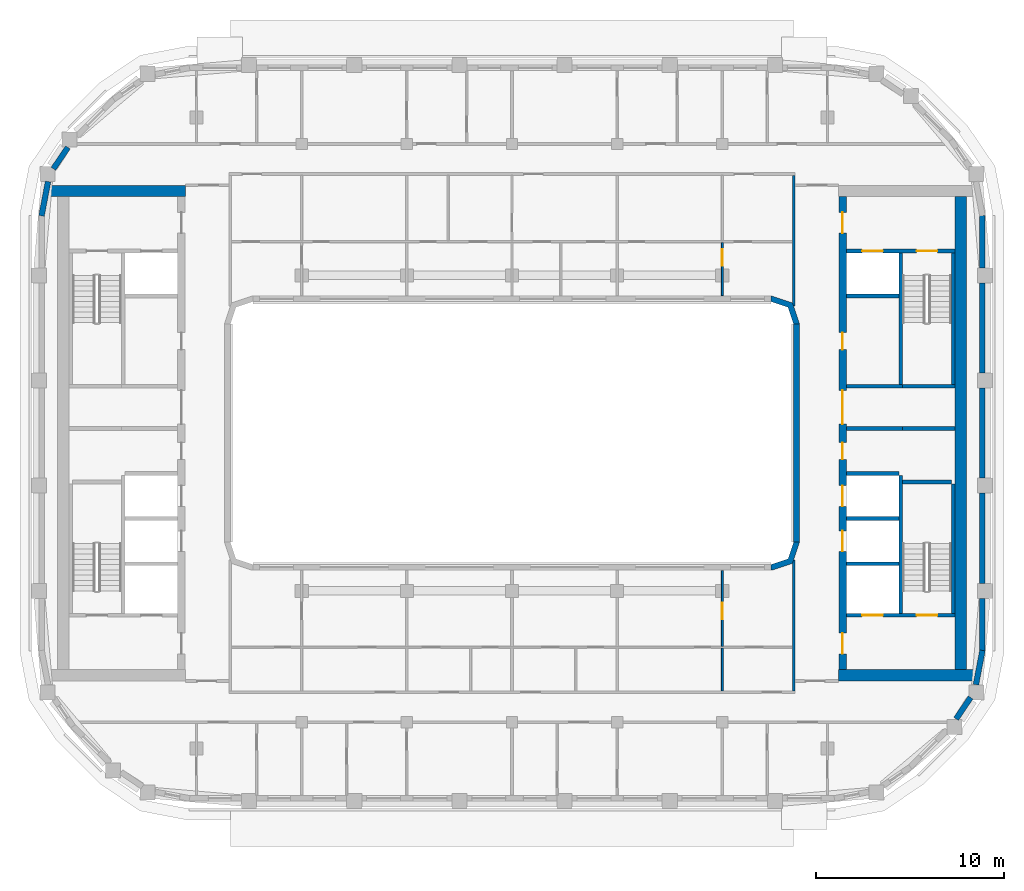
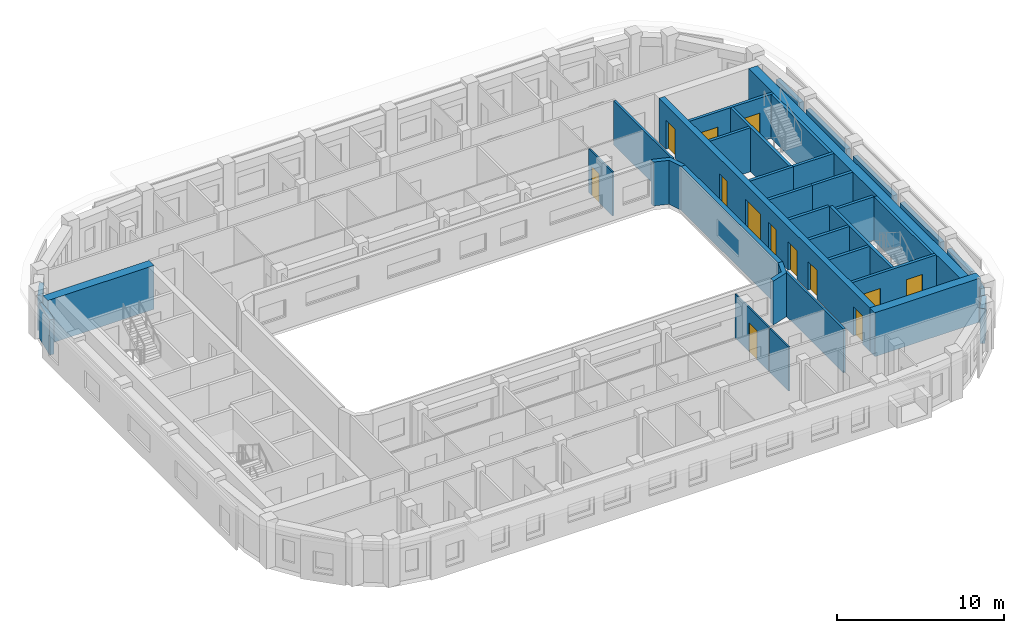
# One storey, part 6 of 16: 36 walls, 13 doors, 13 openings.
"""IFC4 building model written with IfcOpenShell, lengths in metres."""

from ifc_helpers import new_model, si_unit, direction, frame, frame_2d, origin, place, context, subcontext, project, spatial, polyline, rectangle, outline, extrude, material, layer, layer_set, type_object, element, fill, save


model = new_model("IFC4")

# Units and contexts
model_context = context("Model", 3, precision=1e-05, world=origin(), true_north=direction((0.0, 1.0)))
body_context = subcontext(model_context, "Body", "Model", "MODEL_VIEW")
ifc_project = project(units=[si_unit("LENGTHUNIT", "METRE"), si_unit("AREAUNIT", "SQUARE_METRE"), si_unit("VOLUMEUNIT", "CUBIC_METRE"), si_unit("PLANEANGLEUNIT", "RADIAN"), si_unit("MASSUNIT", "GRAM", prefix="KILO")], contexts=[model_context])

# Site, building, storey
site_placement = place(None, origin())
site = spatial("IfcSite", under=ifc_project, at=site_placement, CompositionType="ELEMENT")
building_placement = place(site_placement, origin())
building = spatial("IfcBuilding", under=site, at=building_placement, Name="Kiln Ring Residences", CompositionType="ELEMENT")
storey_placement = place(building_placement, frame((0.0, 0.0, 259.199951171875)))
storey = spatial("IfcBuildingStorey", under=building, at=storey_placement, Name="L67", CompositionType="ELEMENT", Elevation=259.199951171875)

# Walls
ifc_material_1 = material(Name="Gypsum board on steel studs", Category="steel")
ifc_layer_1 = layer(ifc_material_1, 0.199951171875)
ifc_layer_set_1 = layer_set([ifc_layer_1], Name="CORE-PARTITION-200")
wall_type_1 = type_object("IfcWallType", Name="CORE-PARTITION-200", PredefinedType="PARTITIONING", material=ifc_layer_set_1)
wall_1_placement = place(storey_placement, frame((20.800048828125, 0.25, 0.0), z_axis=(0.0, 0.0, 1.0), x_axis=(1.0, 0.0, 0.0)))
element("IfcWall", 1, at=wall_1_placement, inside=storey, type_object=wall_type_1, Name="Core partition east L67 1", PredefinedType="PARTITIONING", context=body_context, shape_type="SweptSolid", body=[
    extrude(rectangle(XDim=2.800048828125, YDim=0.199951171875, at=frame_2d((1.39990234375, 0.0))), origin(), (0.0, 0.0, 1.0), 3.199951171875),
])
ifc_material_2 = material(Name="Gypsum shaft wall system")
ifc_layer_2 = layer(ifc_material_2, 0.199951171875)
ifc_layer_set_2 = layer_set([ifc_layer_2], Name="CORE-SHAFT-WALL-200")
wall_type_2 = type_object("IfcWallType", Name="CORE-SHAFT-WALL-200", PredefinedType="PARTITIONING", material=ifc_layer_set_2)
for number, where, z_axis, x_axis, name in (
    (2, (17.800048828125, -6.949951171875, 0.0), (0.0, 0.0, 1.0), (1.0, 0.0, 0.0), "Core partition east L67 2"),
    (3, (17.800048828125, -4.550048828125, 0.0), (0.0, 0.0, 1.0), (1.0, 0.0, 0.0), "Core partition east L67 3"),
    (4, (17.800048828125, -2.14990234375, 0.0), (0.0, 0.0, 1.0), (1.0, 0.0, 0.0), "Core partition east L67 4"),
):
    element("IfcWall", number, at=place(storey_placement, frame(where, z_axis=z_axis, x_axis=x_axis)), inside=storey, type_object=wall_type_2, Name=name, PredefinedType="PARTITIONING", context=body_context, shape_type="SweptSolid", body=[
        extrude(rectangle(XDim=2.800048828125, YDim=0.199951171875, at=frame_2d((1.39990234375, 0.0))), origin(), (0.0, 0.0, 1.0), 3.199951171875),
    ])
for number, where, z_axis, x_axis, name in (
    (5, (17.800048828125, 0.25, 0.0), (0.0, 0.0, 1.0), (1.0, 0.0, 0.0), "Core partition east L67 5"),
    (6, (17.800048828125, 2.5, 0.0), (0.0, 0.0, 1.0), (1.0, 0.0, 0.0), "Core partition east L67 6"),
):
    element("IfcWall", number, at=place(storey_placement, frame(where, z_axis=z_axis, x_axis=x_axis)), inside=storey, type_object=wall_type_2, Name=name, PredefinedType="PARTITIONING", context=body_context, shape_type="SweptSolid", body=[
        extrude(rectangle(XDim=3.0, YDim=0.199951171875, at=frame_2d((1.5, 0.0))), origin(), (0.0, 0.0, 1.0), 3.199951171875),
    ])
wall_2_placement = place(storey_placement, frame((17.800048828125, 7.300048828125, 0.0), z_axis=(0.0, 0.0, 1.0), x_axis=(1.0, 0.0, 0.0)))
element("IfcWall", 7, at=wall_2_placement, inside=storey, type_object=wall_type_2, Name="Core partition east L67 7", PredefinedType="PARTITIONING", context=body_context, shape_type="SweptSolid", body=[
    extrude(rectangle(XDim=2.800048828125, YDim=0.199951171875, at=frame_2d((1.39990234375, 0.0))), origin(), (0.0, 0.0, 1.0), 3.199951171875),
])
ifc_material_3 = material(Name="Concrete C40/50", Category="concrete")
ifc_layer_3 = layer(ifc_material_3, 0.199951171875)
ifc_layer_set_3 = layer_set([ifc_layer_3], Name="CORE-WALL-RC200")
wall_type_3 = type_object("IfcWallType", Name="CORE-WALL-RC200", PredefinedType="SHEAR", material=ifc_layer_set_3)
wall_3_placement = place(storey_placement, frame((20.699951171875, 2.60009765625, 0.0), z_axis=(0.0, 0.0, 1.0), x_axis=(0.0, 1.0, 0.0)))
element("IfcWall", 8, at=wall_3_placement, inside=storey, type_object=wall_type_3, Name="Core wall east L67 1", PredefinedType="SHEAR", context=body_context, shape_type="SweptSolid", body=[
    extrude(rectangle(XDim=7.0, YDim=0.199951171875, at=frame_2d((3.5, 0.0))), origin(), (0.0, 0.0, 1.0), 3.199951171875),
])
wall_4_placement = place(storey_placement, frame((20.699951171875, -9.60009765625, 0.0), z_axis=(0.0, 0.0, 1.0), x_axis=(0.0, 1.0, 0.0)))
element("IfcWall", 9, at=wall_4_placement, inside=storey, type_object=wall_type_3, Name="Core wall east L67 2", PredefinedType="SHEAR", context=body_context, shape_type="SweptSolid", body=[
    extrude(rectangle(XDim=7.35009765625, YDim=0.199951171875, at=frame_2d((3.675048828125, 0.0))), origin(), (0.0, 0.0, 1.0), 3.199951171875),
])
wall_5_placement = place(storey_placement, frame((20.800048828125, 2.5, 0.0), z_axis=(0.0, 0.0, 1.0), x_axis=(1.0, 0.0, 0.0)))
element("IfcWall", 10, at=wall_5_placement, inside=storey, type_object=wall_type_3, Name="Core wall east L67 3", PredefinedType="SHEAR", context=body_context, shape_type="SweptSolid", body=[
    extrude(rectangle(XDim=2.800048828125, YDim=0.199951171875, at=frame_2d((1.39990234375, 0.0))), origin(), (0.0, 0.0, 1.0), 3.199951171875),
])

# Wall, openings, doors
wall_6_placement = place(storey_placement, frame((17.800048828125, -9.699951171875, 0.0), z_axis=(0.0, 0.0, 1.0), x_axis=(1.0, 0.0, 0.0)))
wall_6 = element("IfcWall", 11, at=wall_6_placement, inside=storey, type_object=wall_type_3, Name="Core wall east L67 8", PredefinedType="SHEAR", context=body_context, shape_type="SweptSolid", body=[
    extrude(rectangle(XDim=5.800048828125, YDim=0.199951171875, at=frame_2d((2.89990234375, 0.0))), origin(), (0.0, 0.0, 1.0), 3.199951171875),
])
opening_1_placement = place(wall_6_placement, frame((0.85009765625, 0.0, 0.0)))
opening_1 = element("IfcOpeningElement", 12, at=opening_1_placement, cuts=wall_6, Name="Opening L67-CE01", PredefinedType="OPENING", context=body_context, shape_type="SweptSolid", body=[
    extrude(rectangle(XDim=1.10009765625, YDim=2.10009765625, at=frame_2d((0.550048828125, 1.050048828125))), frame((0.0, 0.10986328125, 0.0), z_axis=(0.0, -1.0, 0.0), x_axis=(1.0, 0.0, 0.0)), (0.0, 0.0, 1.0), 0.219970703125),
])
opening_2_placement = place(wall_6_placement, frame((3.75, 0.0, 0.0)))
opening_2 = element("IfcOpeningElement", 13, at=opening_2_placement, cuts=wall_6, Name="Opening L67-CE10", PredefinedType="OPENING", context=body_context, shape_type="SweptSolid", body=[
    extrude(rectangle(XDim=1.10009765625, YDim=2.10009765625, at=frame_2d((0.550048828125, 1.050048828125))), frame((0.0, 0.10986328125, 0.0), z_axis=(0.0, -1.0, 0.0), x_axis=(1.0, 0.0, 0.0)), (0.0, 0.0, 1.0), 0.219970703125),
])
ifc_material_4 = material(Name="Steel door leaf", Category="steel")
door_type_1 = type_object("IfcDoorType", Name="CORE-DOOR-LD", OperationType="DOUBLE_DOOR_SLIDING", PredefinedType="DOOR", material=ifc_material_4)
door_1_placement = place(opening_1_placement, origin())
door_1 = element("IfcDoor", 14, at=door_1_placement, inside=storey, type_object=door_type_1, Name="LD E-SV L67-CE01", OperationType="DOUBLE_DOOR_SLIDING", OverallHeight=2.10009765625, OverallWidth=1.10009765625, PredefinedType="DOOR", context=body_context, shape_type="SweptSolid", body=[
    extrude(rectangle(XDim=1.10009765625, YDim=2.10009765625, at=frame_2d((0.550048828125, 1.050048828125))), frame((0.0, 0.02490234375, 0.0), z_axis=(0.0, -1.0, 0.0), x_axis=(1.0, 0.0, 0.0)), (0.0, 0.0, 1.0), 0.050048828125),
])
fill(opening_1, door_1)
ifc_material_5 = material(Name="Steel door leaf", Category="steel")
door_type_2 = type_object("IfcDoorType", Name="CORE-DOOR-STAIR", OperationType="SINGLE_SWING_LEFT", PredefinedType="DOOR", material=ifc_material_5)
door_2_placement = place(opening_2_placement, origin())
door_2 = element("IfcDoor", 15, at=door_2_placement, inside=storey, type_object=door_type_2, Name="Stair E-STS L67-CE10", OperationType="SINGLE_SWING_RIGHT", OverallHeight=2.10009765625, OverallWidth=1.10009765625, PredefinedType="DOOR", context=body_context, shape_type="SweptSolid", body=[
    extrude(rectangle(XDim=1.10009765625, YDim=2.10009765625, at=frame_2d((0.550048828125, 1.050048828125))), frame((0.0, 0.02490234375, 0.0), z_axis=(0.0, -1.0, 0.0), x_axis=(1.0, 0.0, 0.0)), (0.0, 0.0, 1.0), 0.050048828125),
])
fill(opening_2, door_2)

wall_7_placement = place(storey_placement, frame((17.800048828125, 9.699951171875, 0.0), z_axis=(0.0, 0.0, 1.0), x_axis=(1.0, 0.0, 0.0)))
wall_7 = element("IfcWall", 16, at=wall_7_placement, inside=storey, type_object=wall_type_3, Name="Core wall east L67 9", PredefinedType="SHEAR", context=body_context, shape_type="SweptSolid", body=[
    extrude(rectangle(XDim=5.800048828125, YDim=0.199951171875, at=frame_2d((2.89990234375, 0.0))), origin(), (0.0, 0.0, 1.0), 3.199951171875),
])
opening_3_placement = place(wall_7_placement, frame((0.85009765625, 0.0, 0.0)))
opening_3 = element("IfcOpeningElement", 17, at=opening_3_placement, cuts=wall_7, Name="Opening L67-CE06", PredefinedType="OPENING", context=body_context, shape_type="SweptSolid", body=[
    extrude(rectangle(XDim=1.10009765625, YDim=2.10009765625, at=frame_2d((0.550048828125, 1.050048828125))), frame((0.0, 0.10986328125, 0.0), z_axis=(0.0, -1.0, 0.0), x_axis=(1.0, 0.0, 0.0)), (0.0, 0.0, 1.0), 0.219970703125),
])
opening_4_placement = place(wall_7_placement, frame((3.75, 0.0, 0.0)))
opening_4 = element("IfcOpeningElement", 18, at=opening_4_placement, cuts=wall_7, Name="Opening L67-CE09", PredefinedType="OPENING", context=body_context, shape_type="SweptSolid", body=[
    extrude(rectangle(XDim=1.10009765625, YDim=2.10009765625, at=frame_2d((0.550048828125, 1.050048828125))), frame((0.0, 0.10986328125, 0.0), z_axis=(0.0, -1.0, 0.0), x_axis=(1.0, 0.0, 0.0)), (0.0, 0.0, 1.0), 0.219970703125),
])
door_3_placement = place(opening_3_placement, origin())
door_3 = element("IfcDoor", 19, at=door_3_placement, inside=storey, type_object=door_type_1, Name="LD E-FF L67-CE06", OperationType="DOUBLE_DOOR_SLIDING", OverallHeight=2.10009765625, OverallWidth=1.10009765625, PredefinedType="DOOR", context=body_context, shape_type="SweptSolid", body=[
    extrude(rectangle(XDim=1.10009765625, YDim=2.10009765625, at=frame_2d((0.550048828125, 1.050048828125))), frame((0.0, 0.02490234375, 0.0), z_axis=(0.0, -1.0, 0.0), x_axis=(1.0, 0.0, 0.0)), (0.0, 0.0, 1.0), 0.050048828125),
])
fill(opening_3, door_3)
door_4_placement = place(opening_4_placement, origin())
door_4 = element("IfcDoor", 20, at=door_4_placement, inside=storey, type_object=door_type_2, Name="Stair E-STN L67-CE09", OperationType="SINGLE_SWING_RIGHT", OverallHeight=2.10009765625, OverallWidth=1.10009765625, PredefinedType="DOOR", context=body_context, shape_type="SweptSolid", body=[
    extrude(rectangle(XDim=1.10009765625, YDim=2.10009765625, at=frame_2d((0.550048828125, 1.050048828125))), frame((0.0, 0.02490234375, 0.0), z_axis=(0.0, -1.0, 0.0), x_axis=(1.0, 0.0, 0.0)), (0.0, 0.0, 1.0), 0.050048828125),
])
fill(opening_4, door_4)

# Walls
wall_8_placement = place(storey_placement, frame((23.5, 2.60009765625, 0.0), z_axis=(0.0, 0.0, 1.0), x_axis=(0.0, 1.0, 0.0)))
element("IfcWall", 21, at=wall_8_placement, inside=storey, type_object=wall_type_3, Name="Core wall east L67 10", PredefinedType="SHEAR", context=body_context, shape_type="SweptSolid", body=[
    extrude(rectangle(XDim=7.0, YDim=0.199951171875, at=frame_2d((3.5, 0.0))), origin(), (0.0, 0.0, 1.0), 3.199951171875),
])
wall_9_placement = place(storey_placement, frame((23.5, -9.60009765625, 0.0), z_axis=(0.0, 0.0, 1.0), x_axis=(0.0, 1.0, 0.0)))
element("IfcWall", 22, at=wall_9_placement, inside=storey, type_object=wall_type_3, Name="Core wall east L67 11", PredefinedType="SHEAR", context=body_context, shape_type="SweptSolid", body=[
    extrude(rectangle(XDim=6.900146484375, YDim=0.199951171875, at=frame_2d((3.4501953125, 0.0))), origin(), (0.0, 0.0, 1.0), 3.199951171875),
])
wall_10_placement = place(storey_placement, frame((20.800048828125, -2.60009765625, 0.0), z_axis=(0.0, 0.0, 1.0), x_axis=(1.0, 0.0, 0.0)))
element("IfcWall", 23, at=wall_10_placement, inside=storey, type_object=wall_type_3, Name="Core wall east L67 12", PredefinedType="SHEAR", context=body_context, shape_type="SweptSolid", body=[
    extrude(rectangle(XDim=2.599853515625, YDim=0.199951171875, at=frame_2d((1.2998046875, 0.0))), origin(), (0.0, 0.0, 1.0), 3.199951171875),
])

# Wall, openings, doors
ifc_material_6 = material(Name="Concrete C60/75", Category="concrete")
ifc_layer_4 = layer(ifc_material_6, 0.39990234375)
ifc_layer_set_4 = layer_set([ifc_layer_4], Name="CORE-WALL-RC400")
wall_type_4 = type_object("IfcWallType", Name="CORE-WALL-RC400", PredefinedType="SHEAR", material=ifc_layer_set_4)
wall_11_placement = place(storey_placement, frame((17.60009765625, -12.60009765625, 0.0), z_axis=(0.0, 0.0, 1.0), x_axis=(0.0, 1.0, 0.0)))
wall_11 = element("IfcWall", 24, at=wall_11_placement, inside=storey, type_object=wall_type_4, Name="Core wall east L67 6", PredefinedType="SHEAR", context=body_context, shape_type="SweptSolid", body=[
    extrude(rectangle(XDim=25.2001953125, YDim=0.39990234375, at=frame_2d((12.60009765625, 0.0))), origin(), (0.0, 0.0, 1.0), 3.199951171875),
])
opening_5_placement = place(wall_11_placement, frame((6.300048828125, 0.0, 0.0)))
opening_5 = element("IfcOpeningElement", 25, at=opening_5_placement, cuts=wall_11, Name="Opening L67-CE02", PredefinedType="OPENING", context=body_context, shape_type="SweptSolid", body=[
    extrude(rectangle(XDim=1.10009765625, YDim=2.10009765625, at=frame_2d((0.550048828125, 1.050048828125))), frame((0.0, 0.2099609375, 0.0), z_axis=(0.0, -1.0, 0.0), x_axis=(1.0, 0.0, 0.0)), (0.0, 0.0, 1.0), 0.419921875),
])
opening_6_placement = place(wall_11_placement, frame((8.699951171875, 0.0, 0.0)))
opening_6 = element("IfcOpeningElement", 26, at=opening_6_placement, cuts=wall_11, Name="Opening L67-CE03", PredefinedType="OPENING", context=body_context, shape_type="SweptSolid", body=[
    extrude(rectangle(XDim=1.10009765625, YDim=2.10009765625, at=frame_2d((0.550048828125, 1.050048828125))), frame((0.0, 0.2099609375, 0.0), z_axis=(0.0, -1.0, 0.0), x_axis=(1.0, 0.0, 0.0)), (0.0, 0.0, 1.0), 0.419921875),
])
opening_7_placement = place(wall_11_placement, frame((11.199951171875, 0.0, 0.0)))
opening_7 = element("IfcOpeningElement", 27, at=opening_7_placement, cuts=wall_11, Name="Opening L67-CE04", PredefinedType="OPENING", context=body_context, shape_type="SweptSolid", body=[
    extrude(rectangle(XDim=0.89990234375, YDim=2.10009765625, at=frame_2d((0.449951171875, 1.050048828125))), frame((0.0, 0.2099609375, 0.0), z_axis=(0.0, -1.0, 0.0), x_axis=(1.0, 0.0, 0.0)), (0.0, 0.0, 1.0), 0.419921875),
])
opening_8_placement = place(wall_11_placement, frame((17.050048828125, 0.0, 0.0)))
opening_8 = element("IfcOpeningElement", 28, at=opening_8_placement, cuts=wall_11, Name="Opening L67-CE05", PredefinedType="OPENING", context=body_context, shape_type="SweptSolid", body=[
    extrude(rectangle(XDim=0.89990234375, YDim=2.10009765625, at=frame_2d((0.449951171875, 1.050048828125))), frame((0.0, 0.2099609375, 0.0), z_axis=(0.0, -1.0, 0.0), x_axis=(1.0, 0.0, 0.0)), (0.0, 0.0, 1.0), 0.419921875),
])
opening_9_placement = place(wall_11_placement, frame((23.25, 0.0, 0.0)))
opening_9 = element("IfcOpeningElement", 29, at=opening_9_placement, cuts=wall_11, Name="Opening L67-CE07", PredefinedType="OPENING", context=body_context, shape_type="SweptSolid", body=[
    extrude(rectangle(XDim=1.10009765625, YDim=2.10009765625, at=frame_2d((0.550048828125, 1.050048828125))), frame((0.0, 0.2099609375, 0.0), z_axis=(0.0, -1.0, 0.0), x_axis=(1.0, 0.0, 0.0)), (0.0, 0.0, 1.0), 0.419921875),
])
opening_10_placement = place(wall_11_placement, frame((0.85009765625, 0.0, 0.0)))
opening_10 = element("IfcOpeningElement", 30, at=opening_10_placement, cuts=wall_11, Name="Opening L67-CE08", PredefinedType="OPENING", context=body_context, shape_type="SweptSolid", body=[
    extrude(rectangle(XDim=1.10009765625, YDim=2.10009765625, at=frame_2d((0.550048828125, 1.050048828125))), frame((0.0, 0.2099609375, 0.0), z_axis=(0.0, -1.0, 0.0), x_axis=(1.0, 0.0, 0.0)), (0.0, 0.0, 1.0), 0.419921875),
])
opening_11_placement = place(wall_11_placement, frame((13.074951171875, 0.0, 0.0)))
opening_11 = element("IfcOpeningElement", 31, at=opening_11_placement, cuts=wall_11, Name="Opening L67-CE11", PredefinedType="OPENING", context=body_context, shape_type="SweptSolid", body=[
    extrude(rectangle(XDim=1.800048828125, YDim=2.10009765625, at=frame_2d((0.89990234375, 1.050048828125))), frame((0.0, 0.2099609375, 0.0), z_axis=(0.0, -1.0, 0.0), x_axis=(1.0, 0.0, 0.0)), (0.0, 0.0, 1.0), 0.419921875),
])
door_5_placement = place(opening_5_placement, origin())
door_5 = element("IfcDoor", 32, at=door_5_placement, inside=storey, type_object=door_type_1, Name="LD E-H1 L67-CE02", OperationType="DOUBLE_DOOR_SLIDING", OverallHeight=2.10009765625, OverallWidth=1.10009765625, PredefinedType="DOOR", context=body_context, shape_type="SweptSolid", body=[
    extrude(rectangle(XDim=1.10009765625, YDim=2.10009765625, at=frame_2d((0.550048828125, 1.050048828125))), frame((0.0, 0.02490234375, 0.0), z_axis=(0.0, -1.0, 0.0), x_axis=(1.0, 0.0, 0.0)), (0.0, 0.0, 1.0), 0.050048828125),
])
fill(opening_5, door_5)
door_6_placement = place(opening_6_placement, origin())
door_6 = element("IfcDoor", 33, at=door_6_placement, inside=storey, type_object=door_type_1, Name="LD E-H2 L67-CE03", OperationType="DOUBLE_DOOR_SLIDING", OverallHeight=2.10009765625, OverallWidth=1.10009765625, PredefinedType="DOOR", context=body_context, shape_type="SweptSolid", body=[
    extrude(rectangle(XDim=1.10009765625, YDim=2.10009765625, at=frame_2d((0.550048828125, 1.050048828125))), frame((0.0, 0.02490234375, 0.0), z_axis=(0.0, -1.0, 0.0), x_axis=(1.0, 0.0, 0.0)), (0.0, 0.0, 1.0), 0.050048828125),
])
fill(opening_6, door_6)
ifc_material_7 = material(Name="Steel door leaf", Category="steel")
door_type_3 = type_object("IfcDoorType", Name="CORE-DOOR-LOBBY", OperationType="SINGLE_SWING_LEFT", PredefinedType="DOOR", material=ifc_material_7)
door_7_placement = place(opening_9_placement, origin())
door_7 = element("IfcDoor", 34, at=door_7_placement, inside=storey, type_object=door_type_3, Name="FFL L67-CE07", OperationType="SINGLE_SWING_LEFT", OverallHeight=2.10009765625, OverallWidth=1.10009765625, PredefinedType="DOOR", context=body_context, shape_type="SweptSolid", body=[
    extrude(rectangle(XDim=1.10009765625, YDim=2.10009765625, at=frame_2d((0.550048828125, 1.050048828125))), frame((0.0, 0.02490234375, 0.0), z_axis=(0.0, -1.0, 0.0), x_axis=(1.0, 0.0, 0.0)), (0.0, 0.0, 1.0), 0.050048828125),
])
fill(opening_9, door_7)
door_8_placement = place(opening_10_placement, origin())
door_8 = element("IfcDoor", 35, at=door_8_placement, inside=storey, type_object=door_type_3, Name="SVL L67-CE08", OperationType="SINGLE_SWING_RIGHT", OverallHeight=2.10009765625, OverallWidth=1.10009765625, PredefinedType="DOOR", context=body_context, shape_type="SweptSolid", body=[
    extrude(rectangle(XDim=1.10009765625, YDim=2.10009765625, at=frame_2d((0.550048828125, 1.050048828125))), frame((0.0, 0.02490234375, 0.0), z_axis=(0.0, -1.0, 0.0), x_axis=(1.0, 0.0, 0.0)), (0.0, 0.0, 1.0), 0.050048828125),
])
fill(opening_10, door_8)
ifc_material_8 = material(Name="Steel door leaf", Category="steel")
door_type_4 = type_object("IfcDoorType", Name="CORE-DOOR-PASS", OperationType="DOUBLE_DOOR_SINGLE_SWING", PredefinedType="DOOR", material=ifc_material_8)
door_9_placement = place(opening_11_placement, origin())
door_9 = element("IfcDoor", 36, at=door_9_placement, inside=storey, type_object=door_type_4, Name="Core passage L67-CE11", OperationType="DOUBLE_DOOR_SINGLE_SWING", OverallHeight=2.10009765625, OverallWidth=1.800048828125, PredefinedType="DOOR", context=body_context, shape_type="SweptSolid", body=[
    extrude(rectangle(XDim=1.800048828125, YDim=2.10009765625, at=frame_2d((0.89990234375, 1.050048828125))), frame((0.0, 0.02490234375, 0.0), z_axis=(0.0, -1.0, 0.0), x_axis=(1.0, 0.0, 0.0)), (0.0, 0.0, 1.0), 0.050048828125),
])
fill(opening_11, door_9)
ifc_material_9 = material(Name="Steel door leaf", Category="steel")
door_type_5 = type_object("IfcDoorType", Name="CORE-DOOR-ROOM", OperationType="SINGLE_SWING_LEFT", PredefinedType="DOOR", material=ifc_material_9)
door_10_placement = place(opening_7_placement, origin())
door_10 = element("IfcDoor", 37, at=door_10_placement, inside=storey, type_object=door_type_5, Name="Staff room L67-CE04", OperationType="SINGLE_SWING_LEFT", OverallHeight=2.10009765625, OverallWidth=0.89990234375, PredefinedType="DOOR", context=body_context, shape_type="SweptSolid", body=[
    extrude(rectangle(XDim=0.89990234375, YDim=2.10009765625, at=frame_2d((0.449951171875, 1.050048828125))), frame((0.0, 0.02490234375, 0.0), z_axis=(0.0, -1.0, 0.0), x_axis=(1.0, 0.0, 0.0)), (0.0, 0.0, 1.0), 0.050048828125),
])
fill(opening_7, door_10)
door_11_placement = place(opening_8_placement, origin())
door_11 = element("IfcDoor", 38, at=door_11_placement, inside=storey, type_object=door_type_5, Name="Locker store L67-CE05", OperationType="SINGLE_SWING_RIGHT", OverallHeight=2.10009765625, OverallWidth=0.89990234375, PredefinedType="DOOR", context=body_context, shape_type="SweptSolid", body=[
    extrude(rectangle(XDim=0.89990234375, YDim=2.10009765625, at=frame_2d((0.449951171875, 1.050048828125))), frame((0.0, 0.02490234375, 0.0), z_axis=(0.0, -1.0, 0.0), x_axis=(1.0, 0.0, 0.0)), (0.0, 0.0, 1.0), 0.050048828125),
])
fill(opening_8, door_11)

# Walls
ifc_material_10 = material(Name="Concrete C60/75", Category="concrete")
ifc_layer_5 = layer(ifc_material_10, 0.60009765625)
ifc_layer_set_5 = layer_set([ifc_layer_5], Name="CORE-WALL-RC600")
wall_type_5 = type_object("IfcWallType", Name="CORE-WALL-RC600", PredefinedType="SHEAR", material=ifc_layer_set_5)
for number, where, z_axis, x_axis, name in (
    (39, (-17.39990234375, 12.89990234375, 0.0), (0.0, 0.0, 1.0), (-1.0, 0.0, 0.0), "Core wall west L67 4"),
    (40, (17.39990234375, -12.89990234375, 0.0), (0.0, 0.0, 1.0), (1.0, 0.0, 0.0), "Core wall east L67 5"),
):
    element("IfcWall", number, at=place(storey_placement, frame(where, z_axis=z_axis, x_axis=x_axis)), inside=storey, type_object=wall_type_5, Name=name, PredefinedType="SHEAR", context=body_context, shape_type="SweptSolid", body=[
        extrude(rectangle(XDim=7.320068359375, YDim=0.60009765625, at=frame_2d((3.66015625, 0.0))), origin(), (0.0, 0.0, 1.0), 3.199951171875),
    ])
wall_12_placement = place(storey_placement, frame((23.89990234375, -12.60009765625, 0.0), z_axis=(0.0, 0.0, 1.0), x_axis=(0.0, 1.0, 0.0)))
element("IfcWall", 41, at=wall_12_placement, inside=storey, type_object=wall_type_5, Name="Core wall east L67 7", PredefinedType="SHEAR", context=body_context, shape_type="SweptSolid", body=[
    extrude(rectangle(XDim=25.2001953125, YDim=0.60009765625, at=frame_2d((12.60009765625, 0.0))), origin(), (0.0, 0.0, 1.0), 3.199951171875),
])
ifc_material_11 = material(Name="Brick masonry, dark clay brick", Category="masonry")
ifc_layer_6 = layer(ifc_material_11, 0.300048828125)
ifc_layer_set_6 = layer_set([ifc_layer_6], Name="EW-300 BRICK WALL")
wall_type_6 = type_object("IfcWallType", Name="EW-300 BRICK WALL", PredefinedType="SOLIDWALL", material=ifc_layer_set_6)
wall_13_placement = place(storey_placement, frame((23.648193359375, -15.216552734375, 0.0), z_axis=(0.0, 0.0, 1.0), x_axis=(0.562043265151, 0.827107833416, 0.0)))
element("IfcWall", 42, at=wall_13_placement, inside=storey, type_object=wall_type_6, Name="Facade wall L67 14", PredefinedType="SOLIDWALL", context=body_context, shape_type="SweptSolid", body=[
    extrude(rectangle(XDim=1.376953125, YDim=0.300048828125, at=frame_2d((0.6884765625, 0.0))), origin(), (0.0, 0.0, 1.0), 2.550048828125),
])
wall_14_placement = place(storey_placement, frame((24.704833984375, -13.395263671875, 0.0), z_axis=(0.0, 0.0, 1.0), x_axis=(0.187408222942, 0.982282117303, 0.0)))
element("IfcWall", 43, at=wall_14_placement, inside=storey, type_object=wall_type_6, Name="Facade wall L67 15", PredefinedType="SOLIDWALL", context=body_context, shape_type="SweptSolid", body=[
    extrude(rectangle(XDim=1.8564453125, YDim=0.300048828125, at=frame_2d((0.92822265625, 0.0))), origin(), (0.0, 0.0, 1.0), 2.550048828125),
])
wall_15_placement = place(storey_placement, frame((25.050048828125, -11.60009765625, 0.0), z_axis=(0.0, 0.0, 1.0), x_axis=(0.0, 1.0, 0.0)))
element("IfcWall", 44, at=wall_15_placement, inside=storey, type_object=wall_type_6, Name="Facade wall L67 16", PredefinedType="SOLIDWALL", context=body_context, shape_type="SweptSolid", body=[
    extrude(rectangle(XDim=2.800048828125, YDim=0.300048828125, at=frame_2d((1.39990234375, 0.0))), origin(), (0.0, 0.0, 1.0), 2.550048828125),
])
wall_16_placement = place(storey_placement, frame((25.050048828125, -8.0, 0.0), z_axis=(0.0, 0.0, 1.0), x_axis=(0.0, 1.0, 0.0)))
element("IfcWall", 45, at=wall_16_placement, inside=storey, type_object=wall_type_6, Name="Facade wall L67 17", PredefinedType="SOLIDWALL", context=body_context, shape_type="SweptSolid", body=[
    extrude(rectangle(XDim=4.800048828125, YDim=0.300048828125, at=frame_2d((2.39990234375, 0.0))), origin(), (0.0, 0.0, 1.0), 2.550048828125),
])
wall_17_placement = place(storey_placement, frame((25.050048828125, -2.39990234375, 0.0), z_axis=(0.0, 0.0, 1.0), x_axis=(0.0, 1.0, 0.0)))
element("IfcWall", 46, at=wall_17_placement, inside=storey, type_object=wall_type_6, Name="Facade wall L67 18", PredefinedType="SOLIDWALL", context=body_context, shape_type="SweptSolid", body=[
    extrude(rectangle(XDim=4.7998046875, YDim=0.300048828125, at=frame_2d((2.39990234375, 0.0))), origin(), (0.0, 0.0, 1.0), 2.550048828125),
])
wall_18_placement = place(storey_placement, frame((25.050048828125, 3.199951171875, 0.0), z_axis=(0.0, 0.0, 1.0), x_axis=(0.0, 1.0, 0.0)))
element("IfcWall", 47, at=wall_18_placement, inside=storey, type_object=wall_type_6, Name="Facade wall L67 19", PredefinedType="SOLIDWALL", context=body_context, shape_type="SweptSolid", body=[
    extrude(rectangle(XDim=4.800048828125, YDim=0.300048828125, at=frame_2d((2.39990234375, 0.0))), origin(), (0.0, 0.0, 1.0), 2.550048828125),
])
wall_19_placement = place(storey_placement, frame((25.050048828125, 8.800048828125, 0.0), z_axis=(0.0, 0.0, 1.0), x_axis=(0.0, 1.0, 0.0)))
element("IfcWall", 48, at=wall_19_placement, inside=storey, type_object=wall_type_6, Name="Facade wall L67 20", PredefinedType="SOLIDWALL", context=body_context, shape_type="SweptSolid", body=[
    extrude(rectangle(XDim=2.800048828125, YDim=0.300048828125, at=frame_2d((1.39990234375, 0.0))), origin(), (0.0, 0.0, 1.0), 2.550048828125),
])
wall_20_placement = place(storey_placement, frame((-23.648193359375, 15.216552734375, 0.0), z_axis=(0.0, 0.0, 1.0), x_axis=(-0.562043265151, -0.827107833416, 0.0)))
element("IfcWall", 49, at=wall_20_placement, inside=storey, type_object=wall_type_6, Name="Facade wall L67 36", PredefinedType="SOLIDWALL", context=body_context, shape_type="SweptSolid", body=[
    extrude(rectangle(XDim=1.376953125, YDim=0.300048828125, at=frame_2d((0.6884765625, 0.0))), origin(), (0.0, 0.0, 1.0), 2.550048828125),
])
wall_21_placement = place(storey_placement, frame((-24.704833984375, 13.395263671875, 0.0), z_axis=(0.0, 0.0, 1.0), x_axis=(-0.187408222942, -0.982282117303, 0.0)))
element("IfcWall", 50, at=wall_21_placement, inside=storey, type_object=wall_type_6, Name="Facade wall L67 37", PredefinedType="SOLIDWALL", context=body_context, shape_type="SweptSolid", body=[
    extrude(rectangle(XDim=1.8564453125, YDim=0.300048828125, at=frame_2d((0.92822265625, 0.0))), origin(), (0.0, 0.0, 1.0), 2.550048828125),
])
wall_22_placement = place(storey_placement, frame((15.14990234375, 5.800048828125, 0.0), z_axis=(0.0, 0.0, 1.0), x_axis=(0.0, -1.0, 0.0)))
element("IfcWall", 51, at=wall_22_placement, inside=storey, type_object=wall_type_6, Name="Facade wall L67 47", PredefinedType="SOLIDWALL", context=body_context, shape_type="SweptSolid", body=[
    extrude(rectangle(XDim=11.60009765625, YDim=0.300048828125, at=frame_2d((5.800048828125, 0.0))), origin(), (0.0, 0.0, 1.0), 3.199951171875),
])
placement = place(storey_placement, origin())
element("IfcWall", 52, at=placement, inside=storey, type_object=wall_type_6, Name="Corner wall L67 2", PredefinedType="SOLIDWALL", context=body_context, shape_type="SweptSolid", body=[
    extrude(outline(polyline([(14.937255859375, 6.937255859375), (13.8486328125, 7.300048828125), (13.800048828125, 7.300048828125), (13.800048828125, 7.0), (14.699951171875, 6.699951171875), (15.0, 5.800048828125), (15.300048828125, 5.800048828125), (15.300048828125, 5.8486328125), (14.937255859375, 6.937255859375)])), origin(), (0.0, 0.0, 1.0), 3.199951171875),
])
element("IfcWall", 53, at=placement, inside=storey, type_object=wall_type_6, Name="Corner wall L67 3", PredefinedType="SOLIDWALL", context=body_context, shape_type="SweptSolid", body=[
    extrude(outline(polyline([(14.937255859375, -6.937255859375), (15.300048828125, -5.8486328125), (15.300048828125, -5.800048828125), (15.0, -5.800048828125), (14.699951171875, -6.699951171875), (13.800048828125, -7.0), (13.800048828125, -7.300048828125), (13.8486328125, -7.300048828125), (14.937255859375, -6.937255859375)])), origin(), (0.0, 0.0, 1.0), 3.199951171875),
])
ifc_material_12 = material(Name="Gypsum board on steel studs", Category="steel")
ifc_layer_7 = layer(ifc_material_12, 0.10009765625)
ifc_layer_set_7 = layer_set([ifc_layer_7], Name="PARTITION-100")
wall_type_7 = type_object("IfcWallType", Name="PARTITION-100", PredefinedType="PARTITIONING", material=ifc_layer_set_7)
wall_25_placement = place(storey_placement, frame((11.199951171875, -13.72509765625, 0.0), z_axis=(0.0, 0.0, 1.0), x_axis=(0.0, 1.0, 0.0)))
element("IfcWall", 54, at=wall_25_placement, inside=storey, type_object=wall_type_7, Name="Partition 048", PredefinedType="PARTITIONING", context=body_context, shape_type="SweptSolid", body=[
    extrude(rectangle(XDim=2.275146484375, YDim=0.10009765625, at=frame_2d((1.1376953125, 0.0))), origin(), (0.0, 0.0, 1.0), 3.199951171875),
])

# Wall, opening, door
wall_26_placement = place(storey_placement, frame((11.199951171875, -11.35009765625, 0.0), z_axis=(0.0, 0.0, 1.0), x_axis=(0.0, 1.0, 0.0)))
wall_26 = element("IfcWall", 55, at=wall_26_placement, inside=storey, type_object=wall_type_7, Name="Partition 049", PredefinedType="PARTITIONING", context=body_context, shape_type="SweptSolid", body=[
    extrude(rectangle(XDim=4.030029296875, YDim=0.10009765625, at=frame_2d((2.01513671875, 0.0))), origin(), (0.0, 0.0, 1.0), 3.199951171875),
])
opening_12_placement = place(wall_26_placement, frame((1.429931640625, 0.0, 0.0)))
opening_12 = element("IfcOpeningElement", 56, at=opening_12_placement, cuts=wall_26, Name="Opening L67-D044", PredefinedType="OPENING", context=body_context, shape_type="SweptSolid", body=[
    extrude(rectangle(XDim=0.89990234375, YDim=2.10009765625, at=frame_2d((0.449951171875, 1.050048828125))), frame((0.0, 0.06005859375, 0.0), z_axis=(0.0, -1.0, 0.0), x_axis=(1.0, 0.0, 0.0)), (0.0, 0.0, 1.0), 0.1201171875),
])
ifc_material_13 = material(Name="Timber door leaf", Category="wood")
door_type_6 = type_object("IfcDoorType", Name="FLAT-DOOR-900-PL", OperationType="SINGLE_SWING_LEFT", PredefinedType="DOOR", material=ifc_material_13)
door_12_placement = place(opening_12_placement, origin())
door_12 = element("IfcDoor", 57, at=door_12_placement, inside=storey, type_object=door_type_6, Name="Door L67-D044", OperationType="SINGLE_SWING_RIGHT", OverallHeight=2.10009765625, OverallWidth=0.89990234375, PredefinedType="DOOR", context=body_context, shape_type="SweptSolid", body=[
    extrude(rectangle(XDim=0.89990234375, YDim=2.10009765625, at=frame_2d((0.449951171875, 1.050048828125))), frame((0.0, 0.02490234375, 0.0), z_axis=(0.0, -1.0, 0.0), x_axis=(1.0, 0.0, 0.0)), (0.0, 0.0, 1.0), 0.050048828125),
])
fill(opening_12, door_12)

wall_27_placement = place(storey_placement, frame((11.199951171875, 7.320068359375, 0.0), z_axis=(0.0, 0.0, 1.0), x_axis=(0.0, 1.0, 0.0)))
wall_27 = element("IfcWall", 58, at=wall_27_placement, inside=storey, type_object=wall_type_7, Name="Partition 050", PredefinedType="PARTITIONING", context=body_context, shape_type="SweptSolid", body=[
    extrude(rectangle(XDim=2.829833984375, YDim=0.10009765625, at=frame_2d((1.4150390625, 0.0))), origin(), (0.0, 0.0, 1.0), 3.199951171875),
])
opening_13_placement = place(wall_27_placement, frame((1.580078125, 0.0, 0.0)))
opening_13 = element("IfcOpeningElement", 59, at=opening_13_placement, cuts=wall_27, Name="Opening L67-D018", PredefinedType="OPENING", context=body_context, shape_type="SweptSolid", body=[
    extrude(rectangle(XDim=0.89990234375, YDim=2.10009765625, at=frame_2d((0.449951171875, 1.050048828125))), frame((0.0, 0.06005859375, 0.0), z_axis=(0.0, -1.0, 0.0), x_axis=(1.0, 0.0, 0.0)), (0.0, 0.0, 1.0), 0.1201171875),
])
door_13_placement = place(opening_13_placement, origin())
door_13 = element("IfcDoor", 60, at=door_13_placement, inside=storey, type_object=door_type_6, Name="Door L67-D018", OperationType="SINGLE_SWING_LEFT", OverallHeight=2.10009765625, OverallWidth=0.89990234375, PredefinedType="DOOR", context=body_context, shape_type="SweptSolid", body=[
    extrude(rectangle(XDim=0.89990234375, YDim=2.10009765625, at=frame_2d((0.449951171875, 1.050048828125))), frame((0.0, 0.02490234375, 0.0), z_axis=(0.0, -1.0, 0.0), x_axis=(1.0, 0.0, 0.0)), (0.0, 0.0, 1.0), 0.050048828125),
])
fill(opening_13, door_13)

# Walls
ifc_material_14 = material(Name="Brick masonry partition", Category="masonry")
ifc_layer_8 = layer(ifc_material_14, 0.14990234375)
ifc_layer_set_8 = layer_set([ifc_layer_8], Name="PARTITION-150-ei60")
wall_type_8 = type_object("IfcWallType", Name="PARTITION-150-ei60", PredefinedType="PARTITIONING", material=ifc_layer_set_8)
for number, where, z_axis, x_axis, name in (
    (61, (15.0, -13.72509765625, 0.0), (0.0, 0.0, 1.0), (0.0, 1.0, 0.0), "Partition 056"),
    (62, (15.0, 6.768798828125, 0.0), (0.0, 0.0, 1.0), (0.0, 1.0, 0.0), "Partition 057"),
):
    element("IfcWall", number, at=place(storey_placement, frame(where, z_axis=z_axis, x_axis=x_axis)), inside=storey, type_object=wall_type_8, Name=name, PredefinedType="PARTITIONING", context=body_context, shape_type="SweptSolid", body=[
        extrude(rectangle(XDim=6.956298828125, YDim=0.14990234375, at=frame_2d((3.47802734375, 0.0))), origin(), (0.0, 0.0, 1.0), 3.199951171875),
    ])

save(model, "model.ifc")
